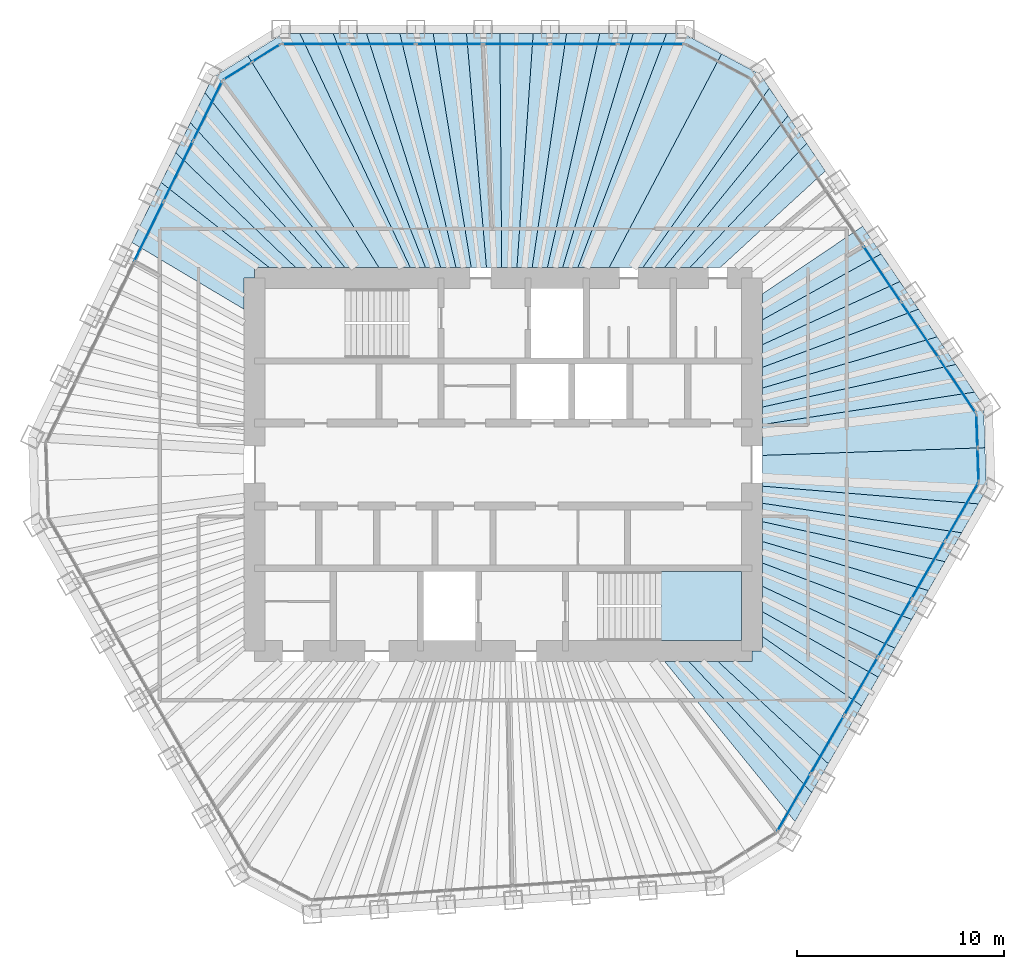
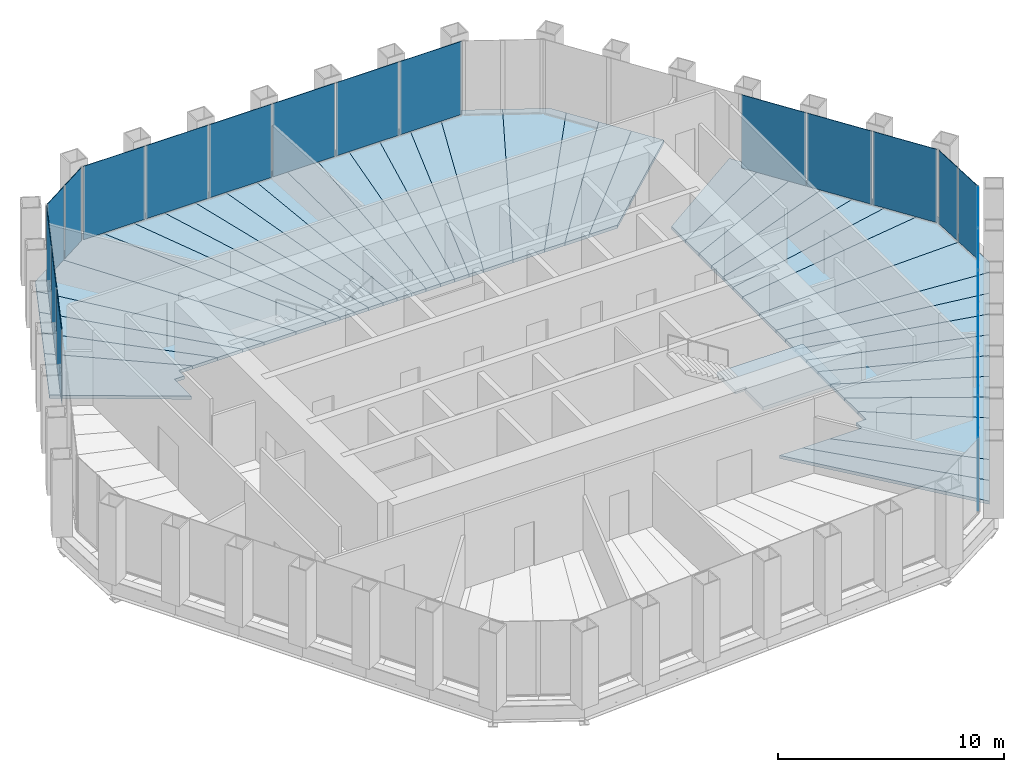
# One storey, part 10 of 14: 41 slabs, 22 plates, 7 elements without a shape of their own.
"""IFC4 building model written with IfcOpenShell, lengths in metres."""

from ifc_helpers import new_model, si_unit, direction, frame, origin, origin_2d, place, context, subcontext, project, spatial, polyline, rectangle, outline, extrude, material, layer, layer_set, type_object, element, aggregate, save


model = new_model("IFC4")

# Units and contexts
model_context = context("Model", 3, precision=1e-05, world=origin(), true_north=direction((0.0, 1.0)))
body_context = subcontext(model_context, "Body", "Model", "MODEL_VIEW")
ifc_project = project(units=[si_unit("LENGTHUNIT", "METRE"), si_unit("AREAUNIT", "SQUARE_METRE"), si_unit("VOLUMEUNIT", "CUBIC_METRE"), si_unit("PLANEANGLEUNIT", "RADIAN"), si_unit("MASSUNIT", "GRAM", prefix="KILO")], contexts=[model_context])

# Site, building, storey
site_placement = place(None, origin())
site = spatial("IfcSite", under=ifc_project, at=site_placement, CompositionType="ELEMENT")
building_placement = place(site_placement, origin())
building = spatial("IfcBuilding", under=site, at=building_placement, Name="Qingtian Harvest Tower", CompositionType="ELEMENT")
storey_placement = place(building_placement, frame((0.0, 0.0, 295.60009765625)))
storey = spatial("IfcBuildingStorey", under=building, at=storey_placement, Name="L65", CompositionType="ELEMENT", Elevation=295.60009765625)

# Slabs
ifc_material_1 = material(Name="Concrete fc' 35 MPa", Category="concrete")
ifc_layer_1 = layer(ifc_material_1, 0.169921875)
ifc_layer_set_1 = layer_set([ifc_layer_1], Name="Composite floor slab FS17 170")
slab_type_1 = type_object("IfcSlabType", Name="Composite floor slab FS17 170", PredefinedType="FLOOR", material=ifc_layer_set_1)
slab_1_placement = place(storey_placement, frame((0.0, 0.0, -0.170166015625)))
element("IfcSlab", 1, at=slab_1_placement, inside=storey, type_object=slab_type_1, Name="Floor slab L65 panel D28", PredefinedType="FLOOR", context=body_context, shape_type="SweptSolid", body=[
    extrude(outline(polyline([(8.957275390625, -9.5), (14.88232421875, -15.8330078125), (14.077880859375, -17.2265625), (7.78515625, -9.5), (8.957275390625, -9.5)])), origin(), (0.0, 0.0, 1.0), 0.170166015625),
])
slab_2_placement = place(storey_placement, frame((0.0, 0.0, -0.170166015625)))
element("IfcSlab", 2, at=slab_2_placement, inside=storey, type_object=slab_type_1, Name="Floor slab L65 panel D29", PredefinedType="FLOOR", context=body_context, shape_type="SweptSolid", body=[
    extrude(outline(polyline([(10.35693359375, -9.5), (15.68701171875, -14.439453125), (14.88232421875, -15.8330078125), (8.957275390625, -9.5), (10.35693359375, -9.5)])), origin(), (0.0, 0.0, 1.0), 0.170166015625),
])
slab_3_placement = place(storey_placement, frame((0.0, 0.0, -0.170166015625)))
element("IfcSlab", 3, at=slab_3_placement, inside=storey, type_object=slab_type_1, Name="Floor slab L65 panel D31", PredefinedType="FLOOR", context=body_context, shape_type="SweptSolid", body=[
    extrude(outline(polyline([(12.5, -8.29443359375), (17.297119140625, -11.650390625), (15.68701171875, -14.439453125), (10.35693359375, -9.5), (12.0, -9.5), (12.0, -9.0), (12.5, -9.0), (12.5, -8.29443359375)])), origin(), (0.0, 0.0, 1.0), 0.170166015625),
])
slab_4_placement = place(storey_placement, frame((0.0, 0.0, -0.170166015625)))
element("IfcSlab", 4, at=slab_4_placement, inside=storey, type_object=slab_type_1, Name="Floor slab L65 panel D32", PredefinedType="FLOOR", context=body_context, shape_type="SweptSolid", body=[
    extrude(outline(polyline([(12.5, -7.099853515625), (18.099853515625, -10.26025390625), (17.297119140625, -11.650390625), (12.5, -8.29443359375), (12.5, -7.099853515625)])), origin(), (0.0, 0.0, 1.0), 0.170166015625),
])
slab_5_placement = place(storey_placement, frame((0.0, 0.0, -0.170166015625)))
element("IfcSlab", 5, at=slab_5_placement, inside=storey, type_object=slab_type_1, Name="Floor slab L65 panel D33", PredefinedType="FLOOR", context=body_context, shape_type="SweptSolid", body=[
    extrude(outline(polyline([(12.5, -5.875244140625), (18.904296875, -8.86669921875), (18.099853515625, -10.26025390625), (12.5, -7.099853515625), (12.5, -5.875244140625)])), origin(), (0.0, 0.0, 1.0), 0.170166015625),
])
slab_6_placement = place(storey_placement, frame((0.0, 0.0, -0.170166015625)))
element("IfcSlab", 6, at=slab_6_placement, inside=storey, type_object=slab_type_1, Name="Floor slab L65 panel D34", PredefinedType="FLOOR", context=body_context, shape_type="SweptSolid", body=[
    extrude(outline(polyline([(12.5, -4.750732421875), (19.708740234375, -7.473388671875), (18.904296875, -8.86669921875), (12.5, -5.875244140625), (12.5, -4.750732421875)])), origin(), (0.0, 0.0, 1.0), 0.170166015625),
])
slab_7_placement = place(storey_placement, frame((0.0, 0.0, -0.170166015625)))
element("IfcSlab", 7, at=slab_7_placement, inside=storey, type_object=slab_type_1, Name="Floor slab L65 panel D35", PredefinedType="FLOOR", context=body_context, shape_type="SweptSolid", body=[
    extrude(outline(polyline([(12.5, -3.714599609375), (20.51318359375, -6.080078125), (19.708740234375, -7.473388671875), (12.5, -4.750732421875), (12.5, -3.714599609375)])), origin(), (0.0, 0.0, 1.0), 0.170166015625),
])
slab_8_placement = place(storey_placement, frame((0.0, 0.0, -0.170166015625)))
element("IfcSlab", 8, at=slab_8_placement, inside=storey, type_object=slab_type_1, Name="Floor slab L65 panel D36", PredefinedType="FLOOR", context=body_context, shape_type="SweptSolid", body=[
    extrude(outline(polyline([(12.5, -2.756591796875), (21.317626953125, -4.6865234375), (20.51318359375, -6.080078125), (12.5, -3.714599609375), (12.5, -2.756591796875)])), origin(), (0.0, 0.0, 1.0), 0.170166015625),
])
slab_9_placement = place(storey_placement, frame((0.0, 0.0, -0.170166015625)))
element("IfcSlab", 9, at=slab_9_placement, inside=storey, type_object=slab_type_1, Name="Floor slab L65 panel D37", PredefinedType="FLOOR", context=body_context, shape_type="SweptSolid", body=[
    extrude(outline(polyline([(12.5, -1.868408203125), (22.122314453125, -3.293212890625), (21.317626953125, -4.6865234375), (12.5, -2.756591796875), (12.5, -1.868408203125)])), origin(), (0.0, 0.0, 1.0), 0.170166015625),
])
slab_10_placement = place(storey_placement, frame((0.0, 0.0, -0.170166015625)))
element("IfcSlab", 10, at=slab_10_placement, inside=storey, type_object=slab_type_1, Name="Floor slab L65 panel D38", PredefinedType="FLOOR", context=body_context, shape_type="SweptSolid", body=[
    extrude(outline(polyline([(12.5, -1.042724609375), (22.9267578125, -1.89990234375), (22.122314453125, -3.293212890625), (12.5, -1.868408203125), (12.5, -1.042724609375)])), origin(), (0.0, 0.0, 1.0), 0.170166015625),
])
slab_11_placement = place(storey_placement, frame((0.0, 0.0, -0.170166015625)))
element("IfcSlab", 11, at=slab_11_placement, inside=storey, type_object=slab_type_1, Name="Floor slab L65 panel D39", PredefinedType="FLOOR", context=body_context, shape_type="SweptSolid", body=[
    extrude(outline(polyline([(12.5, -1.042724609375), (12.5, 0.439697265625), (23.246826171875, 0.811767578125), (23.31787109375, -1.22216796875), (22.9267578125, -1.89990234375), (12.5, -1.042724609375)])), origin(), (0.0, 0.0, 1.0), 0.170166015625),
])
slab_12_placement = place(storey_placement, frame((0.0, 0.0, -0.170166015625)))
element("IfcSlab", 12, at=slab_12_placement, inside=storey, type_object=slab_type_1, Name="Floor slab L65 panel D40", PredefinedType="FLOOR", context=body_context, shape_type="SweptSolid", body=[
    extrude(outline(polyline([(12.5, 0.439697265625), (12.5, 1.928955078125), (22.73828125, 3.494384765625), (23.17578125, 2.845947265625), (23.246826171875, 0.811767578125), (12.5, 0.439697265625)])), origin(), (0.0, 0.0, 1.0), 0.170166015625),
])
slab_13_placement = place(storey_placement, frame((0.0, 0.0, -0.170166015625)))
element("IfcSlab", 13, at=slab_13_placement, inside=storey, type_object=slab_type_1, Name="Floor slab L65 panel D41", PredefinedType="FLOOR", context=body_context, shape_type="SweptSolid", body=[
    extrude(outline(polyline([(12.5, 2.772705078125), (21.838623046875, 4.828369140625), (22.73828125, 3.494384765625), (12.5, 1.928955078125), (12.5, 2.772705078125)])), origin(), (0.0, 0.0, 1.0), 0.170166015625),
])
slab_14_placement = place(storey_placement, frame((0.0, 0.0, -0.170166015625)))
element("IfcSlab", 14, at=slab_14_placement, inside=storey, type_object=slab_type_1, Name="Floor slab L65 panel D42", PredefinedType="FLOOR", context=body_context, shape_type="SweptSolid", body=[
    extrude(outline(polyline([(12.5, 3.688720703125), (20.93896484375, 6.162353515625), (21.838623046875, 4.828369140625), (12.5, 2.772705078125), (12.5, 3.688720703125)])), origin(), (0.0, 0.0, 1.0), 0.170166015625),
])
slab_15_placement = place(storey_placement, frame((0.0, 0.0, -0.170166015625)))
element("IfcSlab", 15, at=slab_15_placement, inside=storey, type_object=slab_type_1, Name="Floor slab L65 panel D43", PredefinedType="FLOOR", context=body_context, shape_type="SweptSolid", body=[
    extrude(outline(polyline([(12.5, 4.6875), (20.0390625, 7.49609375), (20.93896484375, 6.162353515625), (12.5, 3.688720703125), (12.5, 4.6875)])), origin(), (0.0, 0.0, 1.0), 0.170166015625),
])
slab_16_placement = place(storey_placement, frame((0.0, 0.0, -0.170166015625)))
element("IfcSlab", 16, at=slab_16_placement, inside=storey, type_object=slab_type_1, Name="Floor slab L65 panel D44", PredefinedType="FLOOR", context=body_context, shape_type="SweptSolid", body=[
    extrude(outline(polyline([(12.5, 5.780029296875), (19.139404296875, 8.830078125), (20.0390625, 7.49609375), (12.5, 4.6875), (12.5, 5.780029296875)])), origin(), (0.0, 0.0, 1.0), 0.170166015625),
])
slab_17_placement = place(storey_placement, frame((0.0, 0.0, -0.170166015625)))
element("IfcSlab", 17, at=slab_17_placement, inside=storey, type_object=slab_type_1, Name="Floor slab L65 panel D45", PredefinedType="FLOOR", context=body_context, shape_type="SweptSolid", body=[
    extrude(outline(polyline([(12.5, 6.980712890625), (18.23974609375, 10.1640625), (19.139404296875, 8.830078125), (12.5, 5.780029296875), (12.5, 6.980712890625)])), origin(), (0.0, 0.0, 1.0), 0.170166015625),
])
slab_18_placement = place(storey_placement, frame((0.0, 0.0, -0.170166015625)))
element("IfcSlab", 18, at=slab_18_placement, inside=storey, type_object=slab_type_1, Name="Floor slab L65 panel D46", PredefinedType="FLOOR", context=body_context, shape_type="SweptSolid", body=[
    extrude(outline(polyline([(12.5, 8.22998046875), (17.341064453125, 11.496337890625), (18.23974609375, 10.1640625), (12.5, 6.980712890625), (12.5, 8.22998046875)])), origin(), (0.0, 0.0, 1.0), 0.170166015625),
])
slab_19_placement = place(storey_placement, frame((0.0, 0.0, -0.170166015625)))
element("IfcSlab", 19, at=slab_19_placement, inside=storey, type_object=slab_type_1, Name="Floor slab L65 panel D49", PredefinedType="FLOOR", context=body_context, shape_type="SweptSolid", body=[
    extrude(outline(polyline([(9.002685546875, 9.5), (14.641357421875, 15.498779296875), (15.541259765625, 14.16455078125), (10.4599609375, 9.5), (9.002685546875, 9.5)])), origin(), (0.0, 0.0, 1.0), 0.170166015625),
])
slab_20_placement = place(storey_placement, frame((0.0, 0.0, -0.170166015625)))
element("IfcSlab", 20, at=slab_20_placement, inside=storey, type_object=slab_type_1, Name="Floor slab L65 panel D50", PredefinedType="FLOOR", context=body_context, shape_type="SweptSolid", body=[
    extrude(outline(polyline([(7.77734375, 9.5), (13.74169921875, 16.832763671875), (14.641357421875, 15.498779296875), (9.002685546875, 9.5), (7.77734375, 9.5)])), origin(), (0.0, 0.0, 1.0), 0.170166015625),
])
slab_21_placement = place(storey_placement, frame((0.0, 0.0, -0.170166015625)))
element("IfcSlab", 21, at=slab_21_placement, inside=storey, type_object=slab_type_1, Name="Floor slab L65 panel D51", PredefinedType="FLOOR", context=body_context, shape_type="SweptSolid", body=[
    extrude(outline(polyline([(6.73291015625, 9.5), (12.841796875, 18.16650390625), (13.74169921875, 16.832763671875), (7.77734375, 9.5), (6.73291015625, 9.5)])), origin(), (0.0, 0.0, 1.0), 0.170166015625),
])
slab_22_placement = place(storey_placement, frame((0.0, 0.0, -0.170166015625)))
element("IfcSlab", 22, at=slab_22_placement, inside=storey, type_object=slab_type_1, Name="Floor slab L65 panel D52", PredefinedType="FLOOR", context=body_context, shape_type="SweptSolid", body=[
    extrude(outline(polyline([(6.73291015625, 9.5), (5.108154296875, 9.5), (10.5341796875, 19.809814453125), (12.404296875, 18.8154296875), (12.841796875, 18.16650390625), (6.73291015625, 9.5)])), origin(), (0.0, 0.0, 1.0), 0.170166015625),
])
slab_23_placement = place(storey_placement, frame((0.0, 0.0, -0.170166015625)))
element("IfcSlab", 23, at=slab_23_placement, inside=storey, type_object=slab_type_1, Name="Floor slab L65 panel D53", PredefinedType="FLOOR", context=body_context, shape_type="SweptSolid", body=[
    extrude(outline(polyline([(3.59814453125, 9.5), (7.880126953125, 20.804931640625), (8.662109375, 20.804931640625), (10.5341796875, 19.809814453125), (5.108154296875, 9.5), (3.59814453125, 9.5)])), origin(), (0.0, 0.0, 1.0), 0.170166015625),
])
slab_24_placement = place(storey_placement, frame((0.0, 0.0, -0.170166015625)))
element("IfcSlab", 24, at=slab_24_placement, inside=storey, type_object=slab_type_1, Name="Floor slab L65 panel D54", PredefinedType="FLOOR", context=body_context, shape_type="SweptSolid", body=[
    extrude(outline(polyline([(2.863525390625, 9.5), (6.27099609375, 20.804931640625), (7.880126953125, 20.804931640625), (3.59814453125, 9.5), (2.863525390625, 9.5)])), origin(), (0.0, 0.0, 1.0), 0.170166015625),
])
slab_25_placement = place(storey_placement, frame((0.0, 0.0, -0.170166015625)))
element("IfcSlab", 25, at=slab_25_placement, inside=storey, type_object=slab_type_1, Name="Floor slab L65 panel D55", PredefinedType="FLOOR", context=body_context, shape_type="SweptSolid", body=[
    extrude(outline(polyline([(2.12890625, 9.5), (4.662109375, 20.804931640625), (6.27099609375, 20.804931640625), (2.863525390625, 9.5), (2.12890625, 9.5)])), origin(), (0.0, 0.0, 1.0), 0.170166015625),
])
slab_26_placement = place(storey_placement, frame((0.0, 0.0, -0.170166015625)))
element("IfcSlab", 26, at=slab_26_placement, inside=storey, type_object=slab_type_1, Name="Floor slab L65 panel D56", PredefinedType="FLOOR", context=body_context, shape_type="SweptSolid", body=[
    extrude(outline(polyline([(1.394287109375, 9.5), (3.05322265625, 20.804931640625), (4.662109375, 20.804931640625), (2.12890625, 9.5), (1.394287109375, 9.5)])), origin(), (0.0, 0.0, 1.0), 0.170166015625),
])
slab_27_placement = place(storey_placement, frame((0.0, 0.0, -0.170166015625)))
element("IfcSlab", 27, at=slab_27_placement, inside=storey, type_object=slab_type_1, Name="Floor slab L65 panel D57", PredefinedType="FLOOR", context=body_context, shape_type="SweptSolid", body=[
    extrude(outline(polyline([(0.659423828125, 9.5), (1.4443359375, 20.804931640625), (3.05322265625, 20.804931640625), (1.394287109375, 9.5), (0.659423828125, 9.5)])), origin(), (0.0, 0.0, 1.0), 0.170166015625),
])
slab_28_placement = place(storey_placement, frame((0.0, 0.0, -0.170166015625)))
element("IfcSlab", 28, at=slab_28_placement, inside=storey, type_object=slab_type_1, Name="Floor slab L65 panel D58", PredefinedType="FLOOR", context=body_context, shape_type="SweptSolid", body=[
    extrude(outline(polyline([(-0.0751953125, 9.5), (-0.16455078125, 20.804931640625), (1.4443359375, 20.804931640625), (0.659423828125, 9.5), (-0.0751953125, 9.5)])), origin(), (0.0, 0.0, 1.0), 0.170166015625),
])
slab_29_placement = place(storey_placement, frame((0.0, 0.0, -0.170166015625)))
element("IfcSlab", 29, at=slab_29_placement, inside=storey, type_object=slab_type_1, Name="Floor slab L65 panel D59", PredefinedType="FLOOR", context=body_context, shape_type="SweptSolid", body=[
    extrude(outline(polyline([(-0.809814453125, 9.5), (-1.773681640625, 20.804931640625), (-0.16455078125, 20.804931640625), (-0.0751953125, 9.5), (-0.809814453125, 9.5)])), origin(), (0.0, 0.0, 1.0), 0.170166015625),
])
slab_30_placement = place(storey_placement, frame((0.0, 0.0, -0.170166015625)))
element("IfcSlab", 30, at=slab_30_placement, inside=storey, type_object=slab_type_1, Name="Floor slab L65 panel D60", PredefinedType="FLOOR", context=body_context, shape_type="SweptSolid", body=[
    extrude(outline(polyline([(-1.54443359375, 9.5), (-3.382568359375, 20.804931640625), (-1.773681640625, 20.804931640625), (-0.809814453125, 9.5), (-1.54443359375, 9.5)])), origin(), (0.0, 0.0, 1.0), 0.170166015625),
])
slab_31_placement = place(storey_placement, frame((0.0, 0.0, -0.170166015625)))
element("IfcSlab", 31, at=slab_31_placement, inside=storey, type_object=slab_type_1, Name="Floor slab L65 panel D61", PredefinedType="FLOOR", context=body_context, shape_type="SweptSolid", body=[
    extrude(outline(polyline([(-2.279296875, 9.5), (-4.991455078125, 20.804931640625), (-3.382568359375, 20.804931640625), (-1.54443359375, 9.5), (-2.279296875, 9.5)])), origin(), (0.0, 0.0, 1.0), 0.170166015625),
])
slab_32_placement = place(storey_placement, frame((0.0, 0.0, -0.170166015625)))
element("IfcSlab", 32, at=slab_32_placement, inside=storey, type_object=slab_type_1, Name="Floor slab L65 panel D62", PredefinedType="FLOOR", context=body_context, shape_type="SweptSolid", body=[
    extrude(outline(polyline([(-3.013916015625, 9.5), (-6.600341796875, 20.804931640625), (-4.991455078125, 20.804931640625), (-2.279296875, 9.5), (-3.013916015625, 9.5)])), origin(), (0.0, 0.0, 1.0), 0.170166015625),
])
slab_33_placement = place(storey_placement, frame((0.0, 0.0, -0.170166015625)))
element("IfcSlab", 33, at=slab_33_placement, inside=storey, type_object=slab_type_1, Name="Floor slab L65 panel D63", PredefinedType="FLOOR", context=body_context, shape_type="SweptSolid", body=[
    extrude(outline(polyline([(-3.74853515625, 9.5), (-8.209228515625, 20.804931640625), (-6.600341796875, 20.804931640625), (-3.013916015625, 9.5), (-3.74853515625, 9.5)])), origin(), (0.0, 0.0, 1.0), 0.170166015625),
])
slab_34_placement = place(storey_placement, frame((0.0, 0.0, -0.170166015625)))
element("IfcSlab", 34, at=slab_34_placement, inside=storey, type_object=slab_type_1, Name="Floor slab L65 panel D64", PredefinedType="FLOOR", context=body_context, shape_type="SweptSolid", body=[
    extrude(outline(polyline([(-4.483154296875, 9.5), (-9.818115234375, 20.804931640625), (-8.209228515625, 20.804931640625), (-3.74853515625, 9.5), (-4.483154296875, 9.5)])), origin(), (0.0, 0.0, 1.0), 0.170166015625),
])
slab_35_placement = place(storey_placement, frame((0.0, 0.0, -0.170166015625)))
element("IfcSlab", 35, at=slab_35_placement, inside=storey, type_object=slab_type_1, Name="Floor slab L65 panel D65", PredefinedType="FLOOR", context=body_context, shape_type="SweptSolid", body=[
    extrude(outline(polyline([(-4.483154296875, 9.5), (-5.998291015625, 9.5), (-12.327392578125, 19.725830078125), (-10.600341796875, 20.804931640625), (-9.818115234375, 20.804931640625), (-4.483154296875, 9.5)])), origin(), (0.0, 0.0, 1.0), 0.170166015625),
])
slab_36_placement = place(storey_placement, frame((0.0, 0.0, -0.170166015625)))
element("IfcSlab", 36, at=slab_36_placement, inside=storey, type_object=slab_type_1, Name="Floor slab L65 panel D66", PredefinedType="FLOOR", context=body_context, shape_type="SweptSolid", body=[
    extrude(outline(polyline([(-5.998291015625, 9.5), (-7.640869140625, 9.5), (-14.3955078125, 17.944580078125), (-14.052490234375, 18.64794921875), (-12.327392578125, 19.725830078125), (-5.998291015625, 9.5)])), origin(), (0.0, 0.0, 1.0), 0.170166015625),
])
slab_37_placement = place(storey_placement, frame((0.0, 0.0, -0.170166015625)))
element("IfcSlab", 37, at=slab_37_placement, inside=storey, type_object=slab_type_1, Name="Floor slab L65 panel D67", PredefinedType="FLOOR", context=body_context, shape_type="SweptSolid", body=[
    extrude(outline(polyline([(-8.720703125, 9.5), (-15.100830078125, 16.498291015625), (-14.3955078125, 17.944580078125), (-7.640869140625, 9.5), (-8.720703125, 9.5)])), origin(), (0.0, 0.0, 1.0), 0.170166015625),
])
slab_38_placement = place(storey_placement, frame((0.0, 0.0, -0.170166015625)))
element("IfcSlab", 38, at=slab_38_placement, inside=storey, type_object=slab_type_1, Name="Floor slab L65 panel D68", PredefinedType="FLOOR", context=body_context, shape_type="SweptSolid", body=[
    extrude(outline(polyline([(-10.00927734375, 9.5), (-15.80615234375, 15.05224609375), (-15.100830078125, 16.498291015625), (-8.720703125, 9.5), (-10.00927734375, 9.5)])), origin(), (0.0, 0.0, 1.0), 0.170166015625),
])
slab_39_placement = place(storey_placement, frame((0.0, 0.0, -0.170166015625)))
element("IfcSlab", 39, at=slab_39_placement, inside=storey, type_object=slab_type_1, Name="Floor slab L65 panel D69", PredefinedType="FLOOR", context=body_context, shape_type="SweptSolid", body=[
    extrude(outline(polyline([(-11.28125, 9.5), (-16.50927734375, 13.61083984375), (-15.80615234375, 15.05224609375), (-10.00927734375, 9.5), (-11.28125, 9.5)])), origin(), (0.0, 0.0, 1.0), 0.170166015625),
])
slab_40_placement = place(storey_placement, frame((0.0, 0.0, -0.170166015625)))
element("IfcSlab", 40, at=slab_40_placement, inside=storey, type_object=slab_type_1, Name="Floor slab L65 panel D70", PredefinedType="FLOOR", context=body_context, shape_type="SweptSolid", body=[
    extrude(outline(polyline([(-12.0, 9.0), (-12.5, 9.0), (-12.5, 7.48583984375), (-17.921875, 10.714599609375), (-16.50927734375, 13.61083984375), (-11.28125, 9.5), (-12.0, 9.5), (-12.0, 9.0)])), origin(), (0.0, 0.0, 1.0), 0.170166015625),
])

# Curtain wall, plates
ifc_material_2 = material(Name="Bronze-anodised aluminium curtain wall", Category="aluminium")
curtain_wall_type = type_object("IfcCurtainWallType", Name="Curtain wall CW5 upper office", PredefinedType="USERDEFINED", material=ifc_material_2)
curtain_wall_1_placement = place(storey_placement, origin())
curtain_wall_1 = element("IfcCurtainWall", 41, at=curtain_wall_1_placement, inside=storey, type_object=curtain_wall_type, Name="Curtain wall CW5 L65 N0-5", ObjectType="RECESSED CURTAIN WALL", PredefinedType="USERDEFINED")
ifc_material_3 = material(Name="Bronze-tinted laminated insulating glass", Category="glass")
ifc_layer_2 = layer(ifc_material_3, 0.030029296875)
ifc_layer_set_2 = layer_set([ifc_layer_2], Name="Glazed panel CWP tinted IGU")
plate_type = type_object("IfcPlateType", Name="Glazed panel CWP tinted IGU", PredefinedType="CURTAIN_PANEL", material=ifc_layer_set_2)
plate_1_placement = place(storey_placement, frame((-9.08203125, 20.300048828125, 0.06494140625), z_axis=(0.0, 0.0, 1.0), x_axis=(1.0, 0.0, 0.0)))
plate_1 = element("IfcPlate", 42, at=plate_1_placement, type_object=plate_type, Name="CW5 panel 1.1", PredefinedType="CURTAIN_PANEL", context=body_context, shape_type="SweptSolid", body=[
    extrude(rectangle(XDim=3.150634765625, YDim=0.030029296875, at=origin_2d()), origin(), (0.0, 0.0, 1.0), 3.965087890625),
])
plate_2_placement = place(storey_placement, frame((-5.85009765625, 20.300048828125, 0.06494140625), z_axis=(0.0, 0.0, 1.0), x_axis=(1.0, 0.0, 0.0)))
plate_2 = element("IfcPlate", 43, at=plate_2_placement, type_object=plate_type, Name="CW5 panel 2.1", PredefinedType="CURTAIN_PANEL", context=body_context, shape_type="SweptSolid", body=[
    extrude(rectangle(XDim=3.18310546875, YDim=0.030029296875, at=origin_2d()), origin(), (0.0, 0.0, 1.0), 3.965087890625),
])
plate_3_placement = place(storey_placement, frame((-2.602294921875, 20.300048828125, 0.06494140625), z_axis=(0.0, 0.0, 1.0), x_axis=(1.0, 0.0, 0.0)))
plate_3 = element("IfcPlate", 44, at=plate_3_placement, type_object=plate_type, Name="CW5 panel 3.1", PredefinedType="CURTAIN_PANEL", context=body_context, shape_type="SweptSolid", body=[
    extrude(rectangle(XDim=3.18310546875, YDim=0.030029296875, at=origin_2d()), origin(), (0.0, 0.0, 1.0), 3.965087890625),
])
plate_4_placement = place(storey_placement, frame((0.645751953125, 20.300048828125, 0.06494140625), z_axis=(0.0, 0.0, 1.0), x_axis=(1.0, 0.0, 0.0)))
plate_4 = element("IfcPlate", 45, at=plate_4_placement, type_object=plate_type, Name="CW5 panel 4.1", PredefinedType="CURTAIN_PANEL", context=body_context, shape_type="SweptSolid", body=[
    extrude(rectangle(XDim=3.18310546875, YDim=0.030029296875, at=origin_2d()), origin(), (0.0, 0.0, 1.0), 3.965087890625),
])
plate_5_placement = place(storey_placement, frame((3.893798828125, 20.300048828125, 0.06494140625), z_axis=(0.0, 0.0, 1.0), x_axis=(1.0, 0.0, 0.0)))
plate_5 = element("IfcPlate", 46, at=plate_5_placement, type_object=plate_type, Name="CW5 panel 5.1", PredefinedType="CURTAIN_PANEL", context=body_context, shape_type="SweptSolid", body=[
    extrude(rectangle(XDim=3.18310546875, YDim=0.030029296875, at=origin_2d()), origin(), (0.0, 0.0, 1.0), 3.965087890625),
])
plate_6_placement = place(storey_placement, frame((7.125732421875, 20.300048828125, 0.06494140625), z_axis=(0.0, 0.0, 1.0), x_axis=(1.0, 0.0, 0.0)))
plate_6 = element("IfcPlate", 47, at=plate_6_placement, type_object=plate_type, Name="CW5 panel 6.1", PredefinedType="CURTAIN_PANEL", context=body_context, shape_type="SweptSolid", body=[
    extrude(rectangle(XDim=3.150634765625, YDim=0.030029296875, at=origin_2d()), origin(), (0.0, 0.0, 1.0), 3.965087890625),
])
aggregate(curtain_wall_1, [plate_1, plate_2, plate_3, plate_4, plate_5, plate_6])

curtain_wall_2_placement = place(storey_placement, origin())
curtain_wall_2 = element("IfcCurtainWall", 48, at=curtain_wall_2_placement, inside=storey, type_object=curtain_wall_type, Name="Curtain wall CW5 L65 NE0-5", ObjectType="RECESSED CURTAIN WALL", PredefinedType="USERDEFINED")
plate_7_placement = place(storey_placement, frame((18.28466796875, 9.1943359375, 0.06494140625), z_axis=(0.0, 0.0, 1.0), x_axis=(0.559192903471, -0.829037572555, 0.0)))
plate_7 = element("IfcPlate", 49, at=plate_7_placement, type_object=plate_type, Name="CW5 panel 4.1", PredefinedType="CURTAIN_PANEL", context=body_context, shape_type="SweptSolid", body=[
    extrude(rectangle(XDim=3.18310546875, YDim=0.030029296875, at=origin_2d()), origin(), (0.0, 0.0, 1.0), 3.965087890625),
])
plate_8_placement = place(storey_placement, frame((20.100830078125, 6.50146484375, 0.06494140625), z_axis=(0.0, 0.0, 1.0), x_axis=(0.559192903471, -0.829037572555, 0.0)))
plate_8 = element("IfcPlate", 50, at=plate_8_placement, type_object=plate_type, Name="CW5 panel 5.1", PredefinedType="CURTAIN_PANEL", context=body_context, shape_type="SweptSolid", body=[
    extrude(rectangle(XDim=3.18310546875, YDim=0.030029296875, at=origin_2d()), origin(), (0.0, 0.0, 1.0), 3.965087890625),
])
plate_9_placement = place(storey_placement, frame((21.907958984375, 3.822265625, 0.06494140625), z_axis=(0.0, 0.0, 1.0), x_axis=(0.559192903471, -0.829037572555, 0.0)))
plate_9 = element("IfcPlate", 51, at=plate_9_placement, type_object=plate_type, Name="CW5 panel 6.1", PredefinedType="CURTAIN_PANEL", context=body_context, shape_type="SweptSolid", body=[
    extrude(rectangle(XDim=3.150634765625, YDim=0.030029296875, at=origin_2d()), origin(), (0.0, 0.0, 1.0), 3.965087890625),
])
aggregate(curtain_wall_2, [plate_7, plate_8, plate_9])

curtain_wall_3_placement = place(storey_placement, origin())
curtain_wall_3 = element("IfcCurtainWall", 52, at=curtain_wall_3_placement, inside=storey, type_object=curtain_wall_type, Name="Curtain wall CW5 L65 NEC", ObjectType="RECESSED CURTAIN WALL", PredefinedType="USERDEFINED")
plate_10_placement = place(storey_placement, frame((22.85498046875, 1.614501953125, 0.06494140625), z_axis=(0.0, 0.0, 1.0), x_axis=(0.034899496703, -0.999390827019, 0.0)))
plate_10 = element("IfcPlate", 53, at=plate_10_placement, type_object=plate_type, Name="CW5 panel 1.1", PredefinedType="CURTAIN_PANEL", context=body_context, shape_type="SweptSolid", body=[
    extrude(rectangle(XDim=1.56689453125, YDim=0.030029296875, at=origin_2d()), origin(), (0.0, 0.0, 1.0), 3.965087890625),
])
plate_11_placement = place(storey_placement, frame((22.911865234375, -0.016357421875, 0.06494140625), z_axis=(0.0, 0.0, 1.0), x_axis=(0.034899496703, -0.999390827019, 0.0)))
plate_11 = element("IfcPlate", 54, at=plate_11_placement, type_object=plate_type, Name="CW5 panel 2.1", PredefinedType="CURTAIN_PANEL", context=body_context, shape_type="SweptSolid", body=[
    extrude(rectangle(XDim=1.56689453125, YDim=0.030029296875, at=origin_2d()), origin(), (0.0, 0.0, 1.0), 3.965087890625),
])
aggregate(curtain_wall_3, [plate_10, plate_11])

curtain_wall_4_placement = place(storey_placement, origin())
curtain_wall_4 = element("IfcCurtainWall", 55, at=curtain_wall_4_placement, inside=storey, type_object=curtain_wall_type, Name="Curtain wall CW5 L65 SE0-5", ObjectType="RECESSED CURTAIN WALL", PredefinedType="USERDEFINED")
plate_12_placement = place(storey_placement, frame((22.121337890625, -2.28466796875, 0.06494140625), z_axis=(0.0, 0.0, 1.0), x_axis=(-0.5, -0.866025403784, 0.0)))
plate_12 = element("IfcPlate", 56, at=plate_12_placement, type_object=plate_type, Name="CW5 panel 1.1", PredefinedType="CURTAIN_PANEL", context=body_context, shape_type="SweptSolid", body=[
    extrude(rectangle(XDim=3.150634765625, YDim=0.030029296875, at=origin_2d()), origin(), (0.0, 0.0, 1.0), 3.965087890625),
])
plate_13_placement = place(storey_placement, frame((20.50537109375, -5.08349609375, 0.06494140625), z_axis=(0.0, 0.0, 1.0), x_axis=(-0.5, -0.866025403784, 0.0)))
plate_13 = element("IfcPlate", 57, at=plate_13_placement, type_object=plate_type, Name="CW5 panel 2.1", PredefinedType="CURTAIN_PANEL", context=body_context, shape_type="SweptSolid", body=[
    extrude(rectangle(XDim=3.18310546875, YDim=0.030029296875, at=origin_2d()), origin(), (0.0, 0.0, 1.0), 3.965087890625),
])
plate_14_placement = place(storey_placement, frame((18.88134765625, -7.896484375, 0.06494140625), z_axis=(0.0, 0.0, 1.0), x_axis=(-0.5, -0.866025403784, 0.0)))
plate_14 = element("IfcPlate", 58, at=plate_14_placement, type_object=plate_type, Name="CW5 panel 3.1", PredefinedType="CURTAIN_PANEL", context=body_context, shape_type="SweptSolid", body=[
    extrude(rectangle(XDim=3.18310546875, YDim=0.030029296875, at=origin_2d()), origin(), (0.0, 0.0, 1.0), 3.965087890625),
])
plate_15_placement = place(storey_placement, frame((17.25732421875, -10.709228515625, 0.06494140625), z_axis=(0.0, 0.0, 1.0), x_axis=(-0.5, -0.866025403784, 0.0)))
plate_15 = element("IfcPlate", 59, at=plate_15_placement, type_object=plate_type, Name="CW5 panel 4.1", PredefinedType="CURTAIN_PANEL", context=body_context, shape_type="SweptSolid", body=[
    extrude(rectangle(XDim=3.18310546875, YDim=0.030029296875, at=origin_2d()), origin(), (0.0, 0.0, 1.0), 3.965087890625),
])
plate_16_placement = place(storey_placement, frame((15.63330078125, -13.522216796875, 0.06494140625), z_axis=(0.0, 0.0, 1.0), x_axis=(-0.5, -0.866025403784, 0.0)))
plate_16 = element("IfcPlate", 60, at=plate_16_placement, type_object=plate_type, Name="CW5 panel 5.1", PredefinedType="CURTAIN_PANEL", context=body_context, shape_type="SweptSolid", body=[
    extrude(rectangle(XDim=3.18310546875, YDim=0.030029296875, at=origin_2d()), origin(), (0.0, 0.0, 1.0), 3.965087890625),
])
plate_17_placement = place(storey_placement, frame((14.017578125, -16.321044921875, 0.06494140625), z_axis=(0.0, 0.0, 1.0), x_axis=(-0.5, -0.866025403784, 0.0)))
plate_17 = element("IfcPlate", 61, at=plate_17_placement, type_object=plate_type, Name="CW5 panel 6.1", PredefinedType="CURTAIN_PANEL", context=body_context, shape_type="SweptSolid", body=[
    extrude(rectangle(XDim=3.150634765625, YDim=0.030029296875, at=origin_2d()), origin(), (0.0, 0.0, 1.0), 3.965087890625),
])
aggregate(curtain_wall_4, [plate_12, plate_13, plate_14, plate_15, plate_16, plate_17])

curtain_wall_5_placement = place(storey_placement, origin())
curtain_wall_5 = element("IfcCurtainWall", 62, at=curtain_wall_5_placement, inside=storey, type_object=curtain_wall_type, Name="Curtain wall CW5 L65 NW0-5", ObjectType="RECESSED CURTAIN WALL", PredefinedType="USERDEFINED")
plate_18_placement = place(storey_placement, frame((-17.104736328125, 11.23779296875, 0.06494140625), z_axis=(0.0, 0.0, 1.0), x_axis=(0.438371146789, 0.898794046299, 0.0)))
plate_18 = element("IfcPlate", 63, at=plate_18_placement, type_object=plate_type, Name="CW5 panel 4.1", PredefinedType="CURTAIN_PANEL", context=body_context, shape_type="SweptSolid", body=[
    extrude(rectangle(XDim=3.18310546875, YDim=0.030029296875, at=origin_2d()), origin(), (0.0, 0.0, 1.0), 3.965087890625),
])
plate_19_placement = place(storey_placement, frame((-15.680908203125, 14.156982421875, 0.06494140625), z_axis=(0.0, 0.0, 1.0), x_axis=(0.438371146789, 0.898794046299, 0.0)))
plate_19 = element("IfcPlate", 64, at=plate_19_placement, type_object=plate_type, Name="CW5 panel 5.1", PredefinedType="CURTAIN_PANEL", context=body_context, shape_type="SweptSolid", body=[
    extrude(rectangle(XDim=3.18310546875, YDim=0.030029296875, at=origin_2d()), origin(), (0.0, 0.0, 1.0), 3.965087890625),
])
plate_20_placement = place(storey_placement, frame((-14.26416015625, 17.061767578125, 0.06494140625), z_axis=(0.0, 0.0, 1.0), x_axis=(0.438371146789, 0.898794046299, 0.0)))
plate_20 = element("IfcPlate", 65, at=plate_20_placement, type_object=plate_type, Name="CW5 panel 6.1", PredefinedType="CURTAIN_PANEL", context=body_context, shape_type="SweptSolid", body=[
    extrude(rectangle(XDim=3.150634765625, YDim=0.030029296875, at=origin_2d()), origin(), (0.0, 0.0, 1.0), 3.965087890625),
])
aggregate(curtain_wall_5, [plate_18, plate_19, plate_20])

curtain_wall_6_placement = place(storey_placement, origin())
curtain_wall_6 = element("IfcCurtainWall", 66, at=curtain_wall_6_placement, inside=storey, type_object=curtain_wall_type, Name="Curtain wall CW5 L65 NWC", ObjectType="RECESSED CURTAIN WALL", PredefinedType="USERDEFINED")
plate_21_placement = place(storey_placement, frame((-12.82568359375, 18.985595703125, 0.06494140625), z_axis=(0.0, 0.0, 1.0), x_axis=(0.848048096156, 0.529919264233, 0.0)))
plate_21 = element("IfcPlate", 67, at=plate_21_placement, type_object=plate_type, Name="CW5 panel 1.1", PredefinedType="CURTAIN_PANEL", context=body_context, shape_type="SweptSolid", body=[
    extrude(rectangle(XDim=1.56689453125, YDim=0.030029296875, at=origin_2d()), origin(), (0.0, 0.0, 1.0), 3.965087890625),
])
plate_22_placement = place(storey_placement, frame((-11.441650390625, 19.850341796875, 0.06494140625), z_axis=(0.0, 0.0, 1.0), x_axis=(0.848048096156, 0.529919264233, 0.0)))
plate_22 = element("IfcPlate", 68, at=plate_22_placement, type_object=plate_type, Name="CW5 panel 2.1", PredefinedType="CURTAIN_PANEL", context=body_context, shape_type="SweptSolid", body=[
    extrude(rectangle(XDim=1.56689453125, YDim=0.030029296875, at=origin_2d()), origin(), (0.0, 0.0, 1.0), 3.965087890625),
])
aggregate(curtain_wall_6, [plate_21, plate_22])

# Stair, slab
ifc_material_4 = material(Name="Concrete fc' 35 MPa", Category="concrete")
stair_type = type_object("IfcStairType", Name="Special stair ST6 4200", PredefinedType="HALF_TURN_STAIR", material=ifc_material_4)
stair_placement = place(storey_placement, origin())
stair = element("IfcStair", 69, at=stair_placement, inside=storey, type_object=stair_type, Name="Special stair S2 L65", PredefinedType="HALF_TURN_STAIR")
ifc_material_5 = material(Name="Concrete fc' 35 MPa", Category="concrete")
ifc_layer_3 = layer(ifc_material_5, 0.199951171875)
ifc_layer_set_3 = layer_set([ifc_layer_3], Name="Stair landing SL2 200")
slab_type_2 = type_object("IfcSlabType", Name="Stair landing SL2 200", PredefinedType="LANDING", material=ifc_layer_set_3)
slab_41_placement = place(storey_placement, frame((0.0, 0.0, 1.89990234375)))
slab_41 = element("IfcSlab", 70, at=slab_41_placement, type_object=slab_type_2, Name="S2 landing 2", PredefinedType="LANDING", context=body_context, shape_type="SweptSolid", body=[
    extrude(outline(polyline([(7.530029296875, -8.5), (7.530029296875, -6.875), (7.6298828125, -6.875), (7.6298828125, -6.77490234375), (7.094970703125, -6.77490234375), (7.094970703125, -5.14990234375), (11.5, -5.14990234375), (11.5, -8.5), (7.530029296875, -8.5)])), origin(), (0.0, 0.0, 1.0), 0.199951171875),
])
aggregate(stair, [slab_41])

save(model, "model.ifc")
